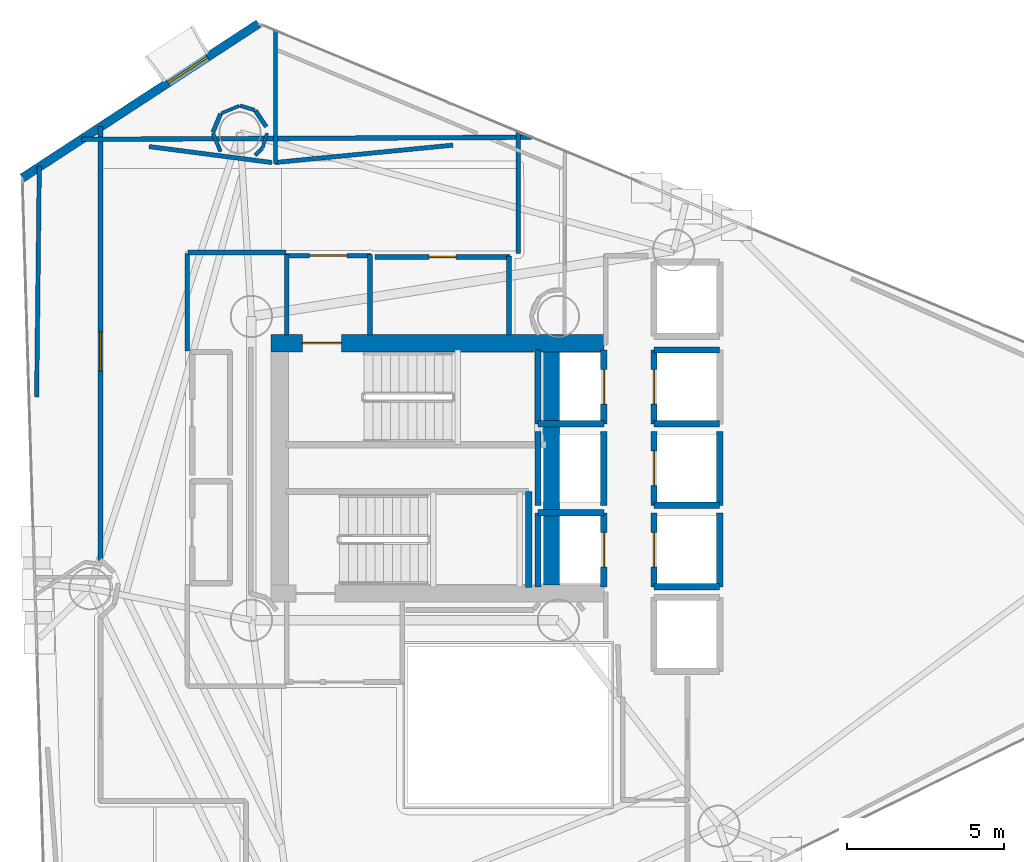
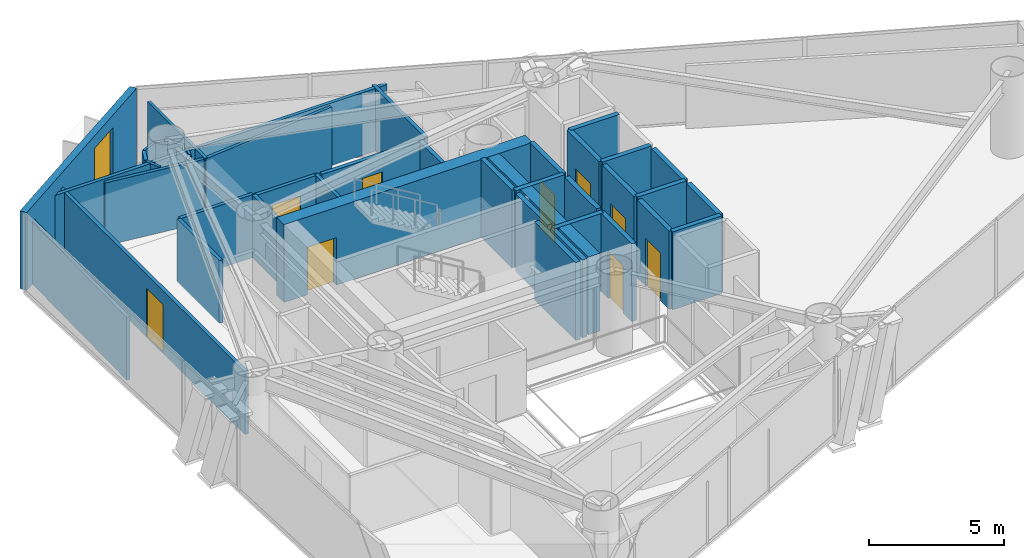
# One storey, part 20 of 23: 42 walls, 9 doors, 1 window, 10 openings.
"""IFC4 building model written with IfcOpenShell, lengths in metres."""

from ifc_helpers import new_model, si_unit, direction, frame, frame_2d, origin, place, context, subcontext, project, spatial, rectangle, extrude, material, layer, layer_set, type_object, element, fill, save


model = new_model("IFC4")

# Units and contexts
model_context = context("Model", 3, precision=1e-05, world=origin(), true_north=direction((0.0, 1.0)))
body_context = subcontext(model_context, "Body", "Model", "MODEL_VIEW")
ifc_project = project(units=[si_unit("LENGTHUNIT", "METRE"), si_unit("AREAUNIT", "SQUARE_METRE"), si_unit("VOLUMEUNIT", "CUBIC_METRE"), si_unit("PLANEANGLEUNIT", "RADIAN"), si_unit("MASSUNIT", "GRAM", prefix="KILO")], contexts=[model_context])

# Site, building, storey
site_placement = place(None, origin())
site = spatial("IfcSite", under=ifc_project, at=site_placement, CompositionType="ELEMENT")
building_placement = place(site_placement, origin())
building = spatial("IfcBuilding", under=site, at=building_placement, Name="Qianvela Tower", CompositionType="ELEMENT")
storey_placement = place(building_placement, frame((0.0, 0.0, 162.39990234375)))
storey = spatial("IfcBuildingStorey", under=building, at=storey_placement, Name="L41", CompositionType="ELEMENT", Elevation=162.39990234375)

# Wall, opening, window
ifc_material_1 = material(Name="Terracotta Cladding on Concrete C40", Category="masonry")
ifc_layer_1 = layer(ifc_material_1, 0.280029296875)
ifc_layer_set_1 = layer_set([ifc_layer_1], Name="Terracotta Cladding on Concrete C40")
wall_type_1 = type_object("IfcWallType", Name="TERRACOTTA-WALL-280", PredefinedType="SOLIDWALL", material=ifc_layer_set_1)
wall_1_placement = place(storey_placement, frame((28.82958984375, 42.894287109375, 0.0), z_axis=(0.0, 0.0, 1.0), x_axis=(-0.837273291315, -0.5467846337, 0.0)))
wall_1 = element("IfcWall", 1, at=wall_1_placement, inside=storey, type_object=wall_type_1, Name="L41 Terracotta Chamfer Facet Wall 3", PredefinedType="SOLIDWALL", context=body_context, shape_type="SweptSolid", body=[
    extrude(rectangle(XDim=9.003662109375, YDim=0.280029296875, at=frame_2d((4.501953125, 0.0))), origin(), (0.0, 0.0, 1.0), 3.52001953125),
])
opening_1_placement = place(wall_1_placement, frame((1.951171875, 0.0, 0.85009765625)))
opening_1 = element("IfcOpeningElement", 2, at=opening_1_placement, cuts=wall_1, Name="Opening W-02", PredefinedType="OPENING", context=body_context, shape_type="SweptSolid", body=[
    extrude(rectangle(XDim=1.5, YDim=2.10009765625, at=frame_2d((0.75, 1.050048828125))), frame((0.0, 0.14990234375, 0.0), z_axis=(0.0, -1.0, 0.0), x_axis=(1.0, 0.0, 0.0)), (0.0, 0.0, 1.0), 0.300048828125),
])
ifc_material_2 = material(Name="Thermally Broken Aluminium and Low-E Glass", Category="aluminium")
window_type = type_object("IfcWindowType", Name="WIN-TC-1500x2100", PartitioningType="DOUBLE_PANEL_VERTICAL", PredefinedType="WINDOW", material=ifc_material_2)
window_placement = place(opening_1_placement, origin())
window = element("IfcWindow", 3, at=window_placement, inside=storey, type_object=window_type, Name="L41 Chamfer Facet Window 3.1", OverallHeight=2.10009765625, OverallWidth=1.5, PartitioningType="SINGLE_PANEL", PredefinedType="WINDOW", context=body_context, shape_type="SweptSolid", body=[
    extrude(rectangle(XDim=1.5, YDim=2.10009765625, at=frame_2d((0.75, 1.050048828125))), frame((0.0, 0.030029296875, 0.0), z_axis=(0.0, -1.0, 0.0), x_axis=(1.0, 0.0, 0.0)), (0.0, 0.0, 1.0), 0.06005859375),
])
fill(opening_1, window)

# Wall, opening, door
ifc_material_3 = material(Name="Concrete C60", Category="concrete")
ifc_layer_2 = layer(ifc_material_3, 0.550048828125)
ifc_layer_set_2 = layer_set([ifc_layer_2], Name="Concrete C60")
wall_type_2 = type_object("IfcWallType", Name="WT-CORE-550", PredefinedType="SHEAR", material=ifc_layer_set_2)
wall_2_placement = place(storey_placement, frame((29.22998046875, 32.695068359375, 0.0), z_axis=(0.0, 0.0, 1.0), x_axis=(1.0, 0.0, 0.0)))
wall_2 = element("IfcWall", 4, at=wall_2_placement, inside=storey, type_object=wall_type_2, Name="L41 North Core Shear Wall", PredefinedType="SHEAR", context=body_context, shape_type="SweptSolid", body=[
    extrude(rectangle(XDim=10.6201171875, YDim=0.550048828125, at=frame_2d((5.31005859375, 0.0))), origin(), (0.0, 0.0, 1.0), 3.52001953125),
])
opening_2_placement = place(wall_2_placement, frame((0.9951171875, 0.0, 0.0)))
opening_2 = element("IfcOpeningElement", 5, at=opening_2_placement, cuts=wall_2, Name="Opening D-ST1", PredefinedType="OPENING", context=body_context, shape_type="SweptSolid", body=[
    extrude(rectangle(XDim=1.25, YDim=2.14990234375, at=frame_2d((0.625, 1.074951171875))), frame((0.0, 0.284912109375, 0.0), z_axis=(0.0, -1.0, 0.0), x_axis=(1.0, 0.0, 0.0)), (0.0, 0.0, 1.0), 0.570068359375),
])
ifc_material_4 = material(Name="Galvanised Fire Steel Q355B", Category="steel")
door_type_1 = type_object("IfcDoorType", Name="DT-STAIR-FD90", OperationType="NOTDEFINED", PredefinedType="DOOR", material=ifc_material_4)
door_1_placement = place(opening_2_placement, origin())
door_1 = element("IfcDoor", 6, at=door_1_placement, inside=storey, type_object=door_type_1, Name="L41 Stair ST-1 Exit Door", OperationType="SINGLE_SWING_RIGHT", OverallHeight=2.14990234375, OverallWidth=1.25, PredefinedType="DOOR", context=body_context, shape_type="SweptSolid", body=[
    extrude(rectangle(XDim=1.25, YDim=2.14990234375, at=frame_2d((0.625, 1.074951171875))), frame((0.0, 0.02490234375, 0.0), z_axis=(0.0, -1.0, 0.0), x_axis=(1.0, 0.0, 0.0)), (0.0, 0.0, 1.0), 0.050048828125),
])
fill(opening_2, door_1)

# Walls
wall_3_placement = place(storey_placement, frame((38.179931640625, 24.97998046875, 0.0), z_axis=(0.0, 0.0, 1.0), x_axis=(0.0, 1.0, 0.0)))
element("IfcWall", 7, at=wall_3_placement, inside=storey, type_object=wall_type_2, Name="L41 East Spine Core Shear Wall", PredefinedType="SHEAR", context=body_context, shape_type="SweptSolid", body=[
    extrude(rectangle(XDim=7.43994140625, YDim=0.5, at=frame_2d((3.719970703125, 0.0))), origin(), (0.0, 0.0, 1.0), 3.52001953125),
])
ifc_material_5 = material(Name="Fire-Rated Acoustic Gypsum Board")
ifc_layer_3 = layer(ifc_material_5, 0.14990234375)
ifc_layer_set_3 = layer_set([ifc_layer_3], Name="Fire-Rated Acoustic Gypsum Board")
wall_type_3 = type_object("IfcWallType", Name="WT-CORR-150", PredefinedType="PARTITIONING", material=ifc_layer_set_3)
wall_4_placement = place(storey_placement, frame((29.73095703125, 32.9580078125, 0.0), z_axis=(0.0, 0.0, 1.0), x_axis=(0.0, 1.0, 0.0)))
element("IfcWall", 8, at=wall_4_placement, inside=storey, type_object=wall_type_3, Name="L41 Partition 2", PredefinedType="PARTITIONING", context=body_context, shape_type="SweptSolid", body=[
    extrude(rectangle(XDim=2.56201171875, YDim=0.14990234375, at=frame_2d((1.281005859375, 0.0))), origin(), (0.0, 0.0, 1.0), 2.840087890625),
])

# Wall, opening, door
wall_5_placement = place(storey_placement, frame((29.699951171875, 35.489013671875, 0.0), z_axis=(0.0, 0.0, 1.0), x_axis=(1.0, 0.0, 0.0)))
wall_5 = element("IfcWall", 9, at=wall_5_placement, inside=storey, type_object=wall_type_3, Name="L41 Partition 3", PredefinedType="PARTITIONING", context=body_context, shape_type="SweptSolid", body=[
    extrude(rectangle(XDim=2.719970703125, YDim=0.14990234375, at=frame_2d((1.35986328125, 0.0))), origin(), (0.0, 0.0, 1.0), 2.840087890625),
])
opening_3_placement = place(wall_5_placement, frame((0.760009765625, 0.0, 0.0)))
opening_3 = element("IfcOpeningElement", 10, at=opening_3_placement, cuts=wall_5, Name="Opening D-LB1", PredefinedType="OPENING", context=body_context, shape_type="SweptSolid", body=[
    extrude(rectangle(XDim=1.199951171875, YDim=2.14990234375, at=frame_2d((0.60009765625, 1.074951171875))), frame((0.0, 0.0849609375, 0.0), z_axis=(0.0, -1.0, 0.0), x_axis=(1.0, 0.0, 0.0)), (0.0, 0.0, 1.0), 0.169921875),
])
ifc_material_6 = material(Name="Glazed Fire-Rated Steel Frame", Category="steel")
door_type_2 = type_object("IfcDoorType", Name="DT-LOBBY-FD90", OperationType="NOTDEFINED", PredefinedType="DOOR", material=ifc_material_6)
door_2_placement = place(opening_3_placement, origin())
door_2 = element("IfcDoor", 11, at=door_2_placement, inside=storey, type_object=door_type_2, Name="L41 Door L41 Firefighting Lobby North to L41 Floor Corridor", OperationType="SINGLE_SWING_LEFT", OverallHeight=2.14990234375, OverallWidth=1.199951171875, PredefinedType="DOOR", context=body_context, shape_type="SweptSolid", body=[
    extrude(rectangle(XDim=1.199951171875, YDim=2.14990234375, at=frame_2d((0.60009765625, 1.074951171875))), frame((0.0, 0.02490234375, 0.0), z_axis=(0.0, -1.0, 0.0), x_axis=(1.0, 0.0, 0.0)), (0.0, 0.0, 1.0), 0.050048828125),
])
fill(opening_3, door_2)

# Wall
wall_6_placement = place(storey_placement, frame((32.388916015625, 35.52001953125, 0.0), z_axis=(0.0, 0.0, 1.0), x_axis=(0.0, -1.0, 0.0)))
element("IfcWall", 12, at=wall_6_placement, inside=storey, type_object=wall_type_3, Name="L41 Partition 4", PredefinedType="PARTITIONING", context=body_context, shape_type="SweptSolid", body=[
    extrude(rectangle(XDim=2.56201171875, YDim=0.14990234375, at=frame_2d((1.281005859375, 0.0))), origin(), (0.0, 0.0, 1.0), 2.840087890625),
])

# Wall, opening, door
wall_7_placement = place(storey_placement, frame((23.781005859375, 25.76171875, 0.0), z_axis=(0.0, 0.0, 1.0), x_axis=(0.0, 1.0, 0.0)))
wall_7 = element("IfcWall", 13, at=wall_7_placement, inside=storey, type_object=wall_type_3, Name="L41 Partition 49", PredefinedType="PARTITIONING", context=body_context, shape_type="SweptSolid", body=[
    extrude(rectangle(XDim=13.855712890625, YDim=0.14990234375, at=frame_2d((6.927734375, 0.0))), origin(), (0.0, 0.0, 1.0), 2.840087890625),
])
opening_4_placement = place(wall_7_placement, frame((6.044189453125, 0.0, 0.0)))
opening_4 = element("IfcOpeningElement", 14, at=opening_4_placement, cuts=wall_7, Name="Opening D-LG1", PredefinedType="OPENING", context=body_context, shape_type="SweptSolid", body=[
    extrude(rectangle(XDim=1.25, YDim=2.199951171875, at=frame_2d((0.625, 1.10009765625))), frame((0.0, 0.0849609375, 0.0), z_axis=(0.0, -1.0, 0.0), x_axis=(1.0, 0.0, 0.0)), (0.0, 0.0, 1.0), 0.169921875),
])
ifc_material_7 = material(Name="Anodised Aluminium Acoustic Glass Door", Category="aluminium")
door_type_3 = type_object("IfcDoorType", Name="DT-LOUNGE-1250", OperationType="NOTDEFINED", PredefinedType="DOOR", material=ifc_material_7)
door_3_placement = place(opening_4_placement, origin())
door_3 = element("IfcDoor", 15, at=door_3_placement, inside=storey, type_object=door_type_3, Name="L41 Door Panoramic Study Lounge L41-05 to L41 Floor Corridor", OperationType="SINGLE_SWING_LEFT", OverallHeight=2.199951171875, OverallWidth=1.25, PredefinedType="DOOR", context=body_context, shape_type="SweptSolid", body=[
    extrude(rectangle(XDim=1.25, YDim=2.199951171875, at=frame_2d((0.625, 1.10009765625))), frame((0.0, 0.02490234375, 0.0), z_axis=(0.0, -1.0, 0.0), x_axis=(1.0, 0.0, 0.0)), (0.0, 0.0, 1.0), 0.050048828125),
])
fill(opening_4, door_3)

# Walls
wall_8_placement = place(storey_placement, frame((23.174072265625, 39.200927734375, 0.0), z_axis=(0.0, 0.0, 1.0), x_axis=(0.999989166238, 0.004654826148, 0.0)))
element("IfcWall", 16, at=wall_8_placement, inside=storey, type_object=wall_type_3, Name="L41 Partition 50", PredefinedType="PARTITIONING", context=body_context, shape_type="SweptSolid", body=[
    extrude(rectangle(XDim=14.37109375, YDim=0.14990234375, at=frame_2d((7.185546875, 0.0))), origin(), (0.0, 0.0, 1.0), 2.840087890625),
])
wall_9_placement = place(storey_placement, frame((37.118896484375, 39.465087890625, 0.0), z_axis=(0.0, 0.0, 1.0), x_axis=(0.0, -1.0, 0.0)))
element("IfcWall", 17, at=wall_9_placement, inside=storey, type_object=wall_type_3, Name="L41 Partition 51", PredefinedType="PARTITIONING", context=body_context, shape_type="SweptSolid", body=[
    extrude(rectangle(XDim=3.905029296875, YDim=0.14990234375, at=frame_2d((1.95263671875, 0.0))), origin(), (0.0, 0.0, 1.0), 2.840087890625),
])
wall_10_placement = place(storey_placement, frame((29.699951171875, 35.591064453125, 0.0), z_axis=(0.0, 0.0, 1.0), x_axis=(-1.0, 0.0, 0.0)))
element("IfcWall", 18, at=wall_10_placement, inside=storey, type_object=wall_type_3, Name="L41 Partition 52 seg 3", PredefinedType="PARTITIONING", context=body_context, shape_type="SweptSolid", body=[
    extrude(rectangle(XDim=3.119873046875, YDim=0.14990234375, at=frame_2d((1.56005859375, 0.0))), origin(), (0.0, 0.0, 1.0), 2.840087890625),
])
wall_11_placement = place(storey_placement, frame((26.549072265625, 35.56005859375, 0.0), z_axis=(0.0, 0.0, 1.0), x_axis=(0.0, -1.0, 0.0)))
element("IfcWall", 19, at=wall_11_placement, inside=storey, type_object=wall_type_3, Name="L41 Partition 53 seg 1", PredefinedType="PARTITIONING", context=body_context, shape_type="SweptSolid", body=[
    extrude(rectangle(XDim=3.110107421875, YDim=0.14990234375, at=frame_2d((1.55517578125, 0.0))), origin(), (0.0, 0.0, 1.0), 2.840087890625),
])
ifc_material_8 = material(Name="Lightweight Gypsum Room Partition")
ifc_layer_4 = layer(ifc_material_8, 0.10498046875)
ifc_layer_set_4 = layer_set([ifc_layer_4], Name="Lightweight Gypsum Room Partition")
wall_type_4 = type_object("IfcWallType", Name="WT-PART-105", PredefinedType="PARTITIONING", material=ifc_layer_set_4)
wall_12_placement = place(storey_placement, frame((28.22314453125, 40.274658203125, 0.0), z_axis=(0.0, 0.0, 1.0), x_axis=(-0.923821221018, -0.382824178437, 0.0)))
element("IfcWall", 20, at=wall_12_placement, inside=storey, type_object=wall_type_4, Name="L41 Partition 127", PredefinedType="PARTITIONING", context=body_context, shape_type="SweptSolid", body=[
    extrude(rectangle(XDim=0.638916015625, YDim=0.10498046875, at=frame_2d((0.3193359375, 0.0))), origin(), (0.0, 0.0, 1.0), 2.840087890625),
])
wall_13_placement = place(storey_placement, frame((28.958984375, 38.93798828125, 0.0), z_axis=(0.0, 0.0, 1.0), x_axis=(0.292866596221, 0.956153312402, 0.0)))
element("IfcWall", 21, at=wall_13_placement, inside=storey, type_object=wall_type_4, Name="L41 Partition 133", PredefinedType="PARTITIONING", context=body_context, shape_type="SweptSolid", body=[
    extrude(rectangle(XDim=0.478515625, YDim=0.10498046875, at=frame_2d((0.2392578125, 0.0))), origin(), (0.0, 0.0, 1.0), 2.840087890625),
])
ifc_material_9 = material(Name="Insulated Gypsum Stud Partition")
ifc_layer_5 = layer(ifc_material_9, 0.1201171875)
ifc_layer_set_5 = layer_set([ifc_layer_5], Name="Insulated Gypsum Stud Partition")
wall_type_5 = type_object("IfcWallType", Name="WT-PART-120", PredefinedType="PARTITIONING", material=ifc_layer_set_5)
wall_14_placement = place(storey_placement, frame((29.373046875, 38.429931640625, 0.0), z_axis=(0.0, 0.0, 1.0), x_axis=(0.0, 1.0, 0.0)))
element("IfcWall", 22, at=wall_14_placement, inside=storey, type_object=wall_type_5, Name="L41 Partition 111", PredefinedType="PARTITIONING", context=body_context, shape_type="SweptSolid", body=[
    extrude(rectangle(XDim=4.25830078125, YDim=0.1201171875, at=frame_2d((2.129150390625, 0.0))), origin(), (0.0, 0.0, 1.0), 2.840087890625),
])
wall_15_placement = place(storey_placement, frame((28.7080078125, 40.135009765625, 0.0), z_axis=(0.0, 0.0, 1.0), x_axis=(-0.95703287226, 0.289979449985, 0.0)))
element("IfcWall", 23, at=wall_15_placement, inside=storey, type_object=wall_type_5, Name="L41 Partition 126", PredefinedType="PARTITIONING", context=body_context, shape_type="SweptSolid", body=[
    extrude(rectangle(XDim=0.48486328125, YDim=0.1201171875, at=frame_2d((0.242431640625, 0.0))), origin(), (0.0, 0.0, 1.0), 2.840087890625),
])
wall_16_placement = place(storey_placement, frame((27.371337890625, 39.399169921875, 0.0), z_axis=(0.0, 0.0, 1.0), x_axis=(0.38268910224, -0.923877183952, 0.0)))
element("IfcWall", 24, at=wall_16_placement, inside=storey, type_object=wall_type_5, Name="L41 Partition 129", PredefinedType="PARTITIONING", context=body_context, shape_type="SweptSolid", body=[
    extrude(rectangle(XDim=0.63916015625, YDim=0.1201171875, at=frame_2d((0.319580078125, 0.0))), origin(), (0.0, 0.0, 1.0), 2.840087890625),
])
wall_17_placement = place(storey_placement, frame((28.720703125, 38.69482421875, 0.0), z_axis=(0.0, 0.0, 1.0), x_axis=(0.707106781187, 0.707106781187, 0.0)))
element("IfcWall", 25, at=wall_17_placement, inside=storey, type_object=wall_type_5, Name="L41 Partition 132", PredefinedType="PARTITIONING", context=body_context, shape_type="SweptSolid", body=[
    extrude(rectangle(XDim=0.325927734375, YDim=0.1201171875, at=frame_2d((0.1630859375, 0.0))), origin(), (0.0, 0.0, 1.0), 2.840087890625),
])

# Wall, opening, door
ifc_material_10 = material(Name="Sanitary Service Chase Partition")
ifc_layer_6 = layer(ifc_material_10, 0.1650390625)
ifc_layer_set_6 = layer_set([ifc_layer_6], Name="Sanitary Service Chase Partition")
wall_type_6 = type_object("IfcWallType", Name="WT-PLUMB-165", PredefinedType="PLUMBINGWALL", material=ifc_layer_set_6)
wall_18_placement = place(storey_placement, frame((32.550048828125, 35.448974609375, 0.0), z_axis=(0.0, 0.0, 1.0), x_axis=(1.0, 0.0, 0.0)))
wall_18 = element("IfcWall", 26, at=wall_18_placement, inside=storey, type_object=wall_type_6, Name="L41 Partition 22", PredefinedType="PLUMBINGWALL", context=body_context, shape_type="SweptSolid", body=[
    extrude(rectangle(XDim=4.300048828125, YDim=0.1650390625, at=frame_2d((2.14990234375, 0.0))), origin(), (0.0, 0.0, 1.0), 2.840087890625),
])
opening_5_placement = place(wall_18_placement, frame((1.719970703125, 0.0, 0.0)))
opening_5 = element("IfcOpeningElement", 27, at=opening_5_placement, cuts=wall_18, Name="Opening D-WC1", PredefinedType="OPENING", context=body_context, shape_type="SweptSolid", body=[
    extrude(rectangle(XDim=0.860107421875, YDim=2.050048828125, at=frame_2d((0.43017578125, 1.02490234375))), frame((0.0, 0.092529296875, 0.0), z_axis=(0.0, -1.0, 0.0), x_axis=(1.0, 0.0, 0.0)), (0.0, 0.0, 1.0), 0.18505859375),
])
ifc_material_11 = material(Name="Moisture-Sealed Acoustic Timber Door", Category="wood")
door_type_4 = type_object("IfcDoorType", Name="DT-WC-860", OperationType="NOTDEFINED", PredefinedType="DOOR", material=ifc_material_11)
door_4_placement = place(opening_5_placement, origin())
door_4 = element("IfcDoor", 28, at=door_4_placement, inside=storey, type_object=door_type_4, Name="L41 Door L41 Accessible WC to L41 Floor Corridor", OperationType="SINGLE_SWING_RIGHT", OverallHeight=2.050048828125, OverallWidth=0.860107421875, PredefinedType="DOOR", context=body_context, shape_type="SweptSolid", body=[
    extrude(rectangle(XDim=0.860107421875, YDim=2.050048828125, at=frame_2d((0.43017578125, 1.02490234375))), frame((0.0, 0.02490234375, 0.0), z_axis=(0.0, -1.0, 0.0), x_axis=(1.0, 0.0, 0.0)), (0.0, 0.0, 1.0), 0.050048828125),
])
fill(opening_5, door_4)

# Walls
wall_19_placement = place(storey_placement, frame((36.819091796875, 35.47998046875, 0.0), z_axis=(0.0, 0.0, 1.0), x_axis=(0.0, -1.0, 0.0)))
element("IfcWall", 29, at=wall_19_placement, inside=storey, type_object=wall_type_6, Name="L41 Partition 23", PredefinedType="PLUMBINGWALL", context=body_context, shape_type="SweptSolid", body=[
    extrude(rectangle(XDim=2.52197265625, YDim=0.1650390625, at=frame_2d((1.260986328125, 0.0))), origin(), (0.0, 0.0, 1.0), 2.840087890625),
])
ifc_material_12 = material(Name="Acoustic Double Gypsum Stud Partition")
ifc_layer_7 = layer(ifc_material_12, 0.139892578125)
ifc_layer_set_7 = layer_set([ifc_layer_7], Name="Acoustic Double Gypsum Stud Partition")
wall_type_7 = type_object("IfcWallType", Name="WT-ROOM-140", PredefinedType="PARTITIONING", material=ifc_layer_set_7)
wall_20_placement = place(storey_placement, frame((35.033203125, 39.01611328125, 0.0), z_axis=(0.0, 0.0, 1.0), x_axis=(-0.995275640249, -0.097089648918, 0.0)))
element("IfcWall", 30, at=wall_20_placement, inside=storey, type_object=wall_type_7, Name="L41 Partition 110 seg 2", PredefinedType="PARTITIONING", context=body_context, shape_type="SweptSolid", body=[
    extrude(rectangle(XDim=5.71826171875, YDim=0.139892578125, at=frame_2d((2.859130859375, 0.0))), origin(), (0.0, 0.0, 1.0), 2.840087890625),
])
wall_21_placement = place(storey_placement, frame((21.74560546875, 30.984619140625, 0.0), z_axis=(0.0, 0.0, 1.0), x_axis=(0.011576600203, 0.999932988919, 0.0)))
element("IfcWall", 31, at=wall_21_placement, inside=storey, type_object=wall_type_7, Name="L41 Partition 122 seg 2", PredefinedType="PARTITIONING", context=body_context, shape_type="SweptSolid", body=[
    extrude(rectangle(XDim=7.360107421875, YDim=0.139892578125, at=frame_2d((3.68017578125, 0.0))), origin(), (0.0, 0.0, 1.0), 2.840087890625),
])
wall_22_placement = place(storey_placement, frame((29.076416015625, 39.601806640625, 0.0), z_axis=(0.0, 0.0, 1.0), x_axis=(-0.559799741872, 0.828627931584, 0.0)))
element("IfcWall", 32, at=wall_22_placement, inside=storey, type_object=wall_type_7, Name="L41 Partition 125", PredefinedType="PARTITIONING", context=body_context, shape_type="SweptSolid", body=[
    extrude(rectangle(XDim=0.62841796875, YDim=0.139892578125, at=frame_2d((0.314208984375, 0.0))), origin(), (0.0, 0.0, 1.0), 2.840087890625),
])
wall_23_placement = place(storey_placement, frame((27.615966796875, 40.01318359375, 0.0), z_axis=(0.0, 0.0, 1.0), x_axis=(-0.382824178437, -0.923821221018, 0.0)))
element("IfcWall", 33, at=wall_23_placement, inside=storey, type_object=wall_type_7, Name="L41 Partition 128", PredefinedType="PARTITIONING", context=body_context, shape_type="SweptSolid", body=[
    extrude(rectangle(XDim=0.638916015625, YDim=0.139892578125, at=frame_2d((0.3193359375, 0.0))), origin(), (0.0, 0.0, 1.0), 2.840087890625),
])
wall_24_placement = place(storey_placement, frame((29.258056640625, 38.4609375, 0.0), z_axis=(0.0, 0.0, 1.0), x_axis=(-0.991648515984, 0.128969844331, 0.0)))
element("IfcWall", 34, at=wall_24_placement, inside=storey, type_object=wall_type_7, Name="L41 Partition 134 seg 1", PredefinedType="PARTITIONING", context=body_context, shape_type="SweptSolid", body=[
    extrude(rectangle(XDim=3.956298828125, YDim=0.139892578125, at=frame_2d((1.97802734375, 0.0))), origin(), (0.0, 0.0, 1.0), 2.840087890625),
])
ifc_material_13 = material(Name="Concrete C50", Category="concrete")
ifc_layer_8 = layer(ifc_material_13, 0.199951171875)
ifc_layer_set_8 = layer_set([ifc_layer_8], Name="Concrete C50")
wall_type_8 = type_object("IfcWallType", Name="WT-SHAFT-200", PredefinedType="SOLIDWALL", material=ifc_layer_set_8)
wall_25_placement = place(storey_placement, frame((37.449951171875, 24.89990234375, 0.0), z_axis=(0.0, 0.0, 1.0), x_axis=(0.0, 1.0, 0.0)))
element("IfcWall", 35, at=wall_25_placement, inside=storey, type_object=wall_type_8, Name="L41 Stair ST-2 East Wall", PredefinedType="SOLIDWALL", context=body_context, shape_type="SweptSolid", body=[
    extrude(rectangle(XDim=3.06005859375, YDim=0.199951171875, at=frame_2d((1.530029296875, 0.0))), origin(), (0.0, 0.0, 1.0), 3.52001953125),
])

# Wall, opening, door
wall_26_placement = place(storey_placement, frame((39.85009765625, 30.1201171875, 0.0), z_axis=(0.0, 0.0, 1.0), x_axis=(0.0, 1.0, 0.0)))
wall_26 = element("IfcWall", 36, at=wall_26_placement, inside=storey, type_object=wall_type_8, Name="L41 Lift FL-1 E Shaft Wall", PredefinedType="SOLIDWALL", context=body_context, shape_type="SweptSolid", body=[
    extrude(rectangle(XDim=2.35986328125, YDim=0.199951171875, at=frame_2d((1.179931640625, 0.0))), origin(), (0.0, 0.0, 1.0), 3.52001953125),
])
opening_6_placement = place(wall_26_placement, frame((0.6298828125, 0.0, 0.0)))
opening_6 = element("IfcOpeningElement", 37, at=opening_6_placement, cuts=wall_26, Name="Opening LD-01", PredefinedType="OPENING", context=body_context, shape_type="SweptSolid", body=[
    extrude(rectangle(XDim=1.10009765625, YDim=2.14990234375, at=frame_2d((0.550048828125, 1.074951171875))), frame((0.0, 0.10986328125, 0.0), z_axis=(0.0, -1.0, 0.0), x_axis=(1.0, 0.0, 0.0)), (0.0, 0.0, 1.0), 0.219970703125),
])
ifc_material_14 = material(Name="Brushed Stainless Steel Lift Landing Door", Category="steel")
door_type_5 = type_object("IfcDoorType", Name="DT-LIFT-SLIDE-1100", OperationType="SLIDING_TO_LEFT", PredefinedType="DOOR", material=ifc_material_14)
door_5_placement = place(opening_6_placement, origin())
door_5 = element("IfcDoor", 38, at=door_5_placement, inside=storey, type_object=door_type_5, Name="L41 Lift FL-1 Sliding Landing Door", OperationType="SLIDING_TO_LEFT", OverallHeight=2.14990234375, OverallWidth=1.10009765625, PredefinedType="DOOR", context=body_context, shape_type="SweptSolid", body=[
    extrude(rectangle(XDim=1.10009765625, YDim=2.14990234375, at=frame_2d((0.550048828125, 1.074951171875))), frame((0.0, 0.02490234375, 0.0), z_axis=(0.0, -1.0, 0.0), x_axis=(1.0, 0.0, 0.0)), (0.0, 0.0, 1.0), 0.050048828125),
])
fill(opening_6, door_5)

# Walls
wall_27_placement = place(storey_placement, frame((37.75, 30.1201171875, 0.0), z_axis=(0.0, 0.0, 1.0), x_axis=(0.0, 1.0, 0.0)))
element("IfcWall", 39, at=wall_27_placement, inside=storey, type_object=wall_type_8, Name="L41 Lift FL-1 W Shaft Wall", PredefinedType="SOLIDWALL", context=body_context, shape_type="SweptSolid", body=[
    extrude(rectangle(XDim=2.35986328125, YDim=0.199951171875, at=frame_2d((1.179931640625, 0.0))), origin(), (0.0, 0.0, 1.0), 3.52001953125),
])
wall_28_placement = place(storey_placement, frame((37.75, 30.1201171875, 0.0), z_axis=(0.0, 0.0, 1.0), x_axis=(1.0, 0.0, 0.0)))
element("IfcWall", 40, at=wall_28_placement, inside=storey, type_object=wall_type_8, Name="L41 Lift FL-1 S Shaft Wall", PredefinedType="SOLIDWALL", context=body_context, shape_type="SweptSolid", body=[
    extrude(rectangle(XDim=2.10009765625, YDim=0.199951171875, at=frame_2d((1.050048828125, 0.0))), origin(), (0.0, 0.0, 1.0), 3.52001953125),
])

# Wall, opening, door
wall_29_placement = place(storey_placement, frame((39.85009765625, 24.919921875, 0.0), z_axis=(0.0, 0.0, 1.0), x_axis=(0.0, 1.0, 0.0)))
wall_29 = element("IfcWall", 41, at=wall_29_placement, inside=storey, type_object=wall_type_8, Name="L41 Lift FL-2 E Shaft Wall", PredefinedType="SOLIDWALL", context=body_context, shape_type="SweptSolid", body=[
    extrude(rectangle(XDim=2.360107421875, YDim=0.199951171875, at=frame_2d((1.18017578125, 0.0))), origin(), (0.0, 0.0, 1.0), 3.52001953125),
])
opening_7_placement = place(wall_29_placement, frame((0.6298828125, 0.0, 0.0)))
opening_7 = element("IfcOpeningElement", 42, at=opening_7_placement, cuts=wall_29, Name="Opening LD-01", PredefinedType="OPENING", context=body_context, shape_type="SweptSolid", body=[
    extrude(rectangle(XDim=1.10009765625, YDim=2.14990234375, at=frame_2d((0.550048828125, 1.074951171875))), frame((0.0, 0.10986328125, 0.0), z_axis=(0.0, -1.0, 0.0), x_axis=(1.0, 0.0, 0.0)), (0.0, 0.0, 1.0), 0.219970703125),
])
door_6_placement = place(opening_7_placement, origin())
door_6 = element("IfcDoor", 43, at=door_6_placement, inside=storey, type_object=door_type_5, Name="L41 Lift FL-2 Sliding Landing Door", OperationType="SLIDING_TO_LEFT", OverallHeight=2.14990234375, OverallWidth=1.10009765625, PredefinedType="DOOR", context=body_context, shape_type="SweptSolid", body=[
    extrude(rectangle(XDim=1.10009765625, YDim=2.14990234375, at=frame_2d((0.550048828125, 1.074951171875))), frame((0.0, 0.02490234375, 0.0), z_axis=(0.0, -1.0, 0.0), x_axis=(1.0, 0.0, 0.0)), (0.0, 0.0, 1.0), 0.050048828125),
])
fill(opening_7, door_6)

# Walls
wall_30_placement = place(storey_placement, frame((37.75, 24.919921875, 0.0), z_axis=(0.0, 0.0, 1.0), x_axis=(0.0, 1.0, 0.0)))
element("IfcWall", 44, at=wall_30_placement, inside=storey, type_object=wall_type_8, Name="L41 Lift FL-2 W Shaft Wall", PredefinedType="SOLIDWALL", context=body_context, shape_type="SweptSolid", body=[
    extrude(rectangle(XDim=2.360107421875, YDim=0.199951171875, at=frame_2d((1.18017578125, 0.0))), origin(), (0.0, 0.0, 1.0), 3.52001953125),
])
wall_31_placement = place(storey_placement, frame((37.75, 27.280029296875, 0.0), z_axis=(0.0, 0.0, 1.0), x_axis=(1.0, 0.0, 0.0)))
element("IfcWall", 45, at=wall_31_placement, inside=storey, type_object=wall_type_8, Name="L41 Lift FL-2 N Shaft Wall", PredefinedType="SOLIDWALL", context=body_context, shape_type="SweptSolid", body=[
    extrude(rectangle(XDim=2.10009765625, YDim=0.199951171875, at=frame_2d((1.050048828125, 0.0))), origin(), (0.0, 0.0, 1.0), 3.52001953125),
])

# Wall, opening, door
wall_32_placement = place(storey_placement, frame((41.449951171875, 30.1201171875, 0.0), z_axis=(0.0, 0.0, 1.0), x_axis=(0.0, 1.0, 0.0)))
wall_32 = element("IfcWall", 46, at=wall_32_placement, inside=storey, type_object=wall_type_8, Name="L41 Lift PL-M1 W Shaft Wall", PredefinedType="SOLIDWALL", context=body_context, shape_type="SweptSolid", body=[
    extrude(rectangle(XDim=2.35986328125, YDim=0.199951171875, at=frame_2d((1.179931640625, 0.0))), origin(), (0.0, 0.0, 1.0), 3.52001953125),
])
opening_8_placement = place(wall_32_placement, frame((0.6298828125, 0.0, 0.0)))
opening_8 = element("IfcOpeningElement", 47, at=opening_8_placement, cuts=wall_32, Name="Opening LD-01", PredefinedType="OPENING", context=body_context, shape_type="SweptSolid", body=[
    extrude(rectangle(XDim=1.10009765625, YDim=2.14990234375, at=frame_2d((0.550048828125, 1.074951171875))), frame((0.0, 0.10986328125, 0.0), z_axis=(0.0, -1.0, 0.0), x_axis=(1.0, 0.0, 0.0)), (0.0, 0.0, 1.0), 0.219970703125),
])
door_7_placement = place(opening_8_placement, origin())
door_7 = element("IfcDoor", 48, at=door_7_placement, inside=storey, type_object=door_type_5, Name="L41 Lift PL-M1 Sliding Landing Door", OperationType="SLIDING_TO_LEFT", OverallHeight=2.14990234375, OverallWidth=1.10009765625, PredefinedType="DOOR", context=body_context, shape_type="SweptSolid", body=[
    extrude(rectangle(XDim=1.10009765625, YDim=2.14990234375, at=frame_2d((0.550048828125, 1.074951171875))), frame((0.0, 0.02490234375, 0.0), z_axis=(0.0, -1.0, 0.0), x_axis=(1.0, 0.0, 0.0)), (0.0, 0.0, 1.0), 0.050048828125),
])
fill(opening_8, door_7)

# Walls
for number, where, z_axis, x_axis, name in (
    (49, (41.449951171875, 32.47998046875, 0.0), (0.0, 0.0, 1.0), (1.0, 0.0, 0.0), "L41 Lift PL-M1 N Shaft Wall"),
    (50, (41.449951171875, 30.1201171875, 0.0), (0.0, 0.0, 1.0), (1.0, 0.0, 0.0), "L41 Lift PL-M1 S Shaft Wall"),
):
    element("IfcWall", number, at=place(storey_placement, frame(where, z_axis=z_axis, x_axis=x_axis)), inside=storey, type_object=wall_type_8, Name=name, PredefinedType="SOLIDWALL", context=body_context, shape_type="SweptSolid", body=[
        extrude(rectangle(XDim=2.10009765625, YDim=0.199951171875, at=frame_2d((1.050048828125, 0.0))), origin(), (0.0, 0.0, 1.0), 3.52001953125),
    ])
wall_33_placement = place(storey_placement, frame((43.550048828125, 27.52001953125, 0.0), z_axis=(0.0, 0.0, 1.0), x_axis=(0.0, 1.0, 0.0)))
element("IfcWall", 51, at=wall_33_placement, inside=storey, type_object=wall_type_8, Name="L41 Lift PL-M2 E Shaft Wall", PredefinedType="SOLIDWALL", context=body_context, shape_type="SweptSolid", body=[
    extrude(rectangle(XDim=2.35986328125, YDim=0.199951171875, at=frame_2d((1.179931640625, 0.0))), origin(), (0.0, 0.0, 1.0), 3.52001953125),
])

# Wall, opening, door
wall_34_placement = place(storey_placement, frame((41.449951171875, 27.52001953125, 0.0), z_axis=(0.0, 0.0, 1.0), x_axis=(0.0, 1.0, 0.0)))
wall_34 = element("IfcWall", 52, at=wall_34_placement, inside=storey, type_object=wall_type_8, Name="L41 Lift PL-M2 W Shaft Wall", PredefinedType="SOLIDWALL", context=body_context, shape_type="SweptSolid", body=[
    extrude(rectangle(XDim=2.35986328125, YDim=0.199951171875, at=frame_2d((1.179931640625, 0.0))), origin(), (0.0, 0.0, 1.0), 3.52001953125),
])
opening_9_placement = place(wall_34_placement, frame((0.6298828125, 0.0, 0.0)))
opening_9 = element("IfcOpeningElement", 53, at=opening_9_placement, cuts=wall_34, Name="Opening LD-01", PredefinedType="OPENING", context=body_context, shape_type="SweptSolid", body=[
    extrude(rectangle(XDim=1.10009765625, YDim=2.14990234375, at=frame_2d((0.550048828125, 1.074951171875))), frame((0.0, 0.10986328125, 0.0), z_axis=(0.0, -1.0, 0.0), x_axis=(1.0, 0.0, 0.0)), (0.0, 0.0, 1.0), 0.219970703125),
])
door_8_placement = place(opening_9_placement, origin())
door_8 = element("IfcDoor", 54, at=door_8_placement, inside=storey, type_object=door_type_5, Name="L41 Lift PL-M2 Sliding Landing Door", OperationType="SLIDING_TO_LEFT", OverallHeight=2.14990234375, OverallWidth=1.10009765625, PredefinedType="DOOR", context=body_context, shape_type="SweptSolid", body=[
    extrude(rectangle(XDim=1.10009765625, YDim=2.14990234375, at=frame_2d((0.550048828125, 1.074951171875))), frame((0.0, 0.02490234375, 0.0), z_axis=(0.0, -1.0, 0.0), x_axis=(1.0, 0.0, 0.0)), (0.0, 0.0, 1.0), 0.050048828125),
])
fill(opening_9, door_8)

# Walls
wall_35_placement = place(storey_placement, frame((41.449951171875, 27.52001953125, 0.0), z_axis=(0.0, 0.0, 1.0), x_axis=(1.0, 0.0, 0.0)))
element("IfcWall", 55, at=wall_35_placement, inside=storey, type_object=wall_type_8, Name="L41 Lift PL-M2 S Shaft Wall", PredefinedType="SOLIDWALL", context=body_context, shape_type="SweptSolid", body=[
    extrude(rectangle(XDim=2.10009765625, YDim=0.199951171875, at=frame_2d((1.050048828125, 0.0))), origin(), (0.0, 0.0, 1.0), 3.52001953125),
])
wall_36_placement = place(storey_placement, frame((43.550048828125, 24.919921875, 0.0), z_axis=(0.0, 0.0, 1.0), x_axis=(0.0, 1.0, 0.0)))
element("IfcWall", 56, at=wall_36_placement, inside=storey, type_object=wall_type_8, Name="L41 Lift PL-M3 E Shaft Wall", PredefinedType="SOLIDWALL", context=body_context, shape_type="SweptSolid", body=[
    extrude(rectangle(XDim=2.360107421875, YDim=0.199951171875, at=frame_2d((1.18017578125, 0.0))), origin(), (0.0, 0.0, 1.0), 3.52001953125),
])

# Wall, opening, door
wall_37_placement = place(storey_placement, frame((41.449951171875, 24.919921875, 0.0), z_axis=(0.0, 0.0, 1.0), x_axis=(0.0, 1.0, 0.0)))
wall_37 = element("IfcWall", 57, at=wall_37_placement, inside=storey, type_object=wall_type_8, Name="L41 Lift PL-M3 W Shaft Wall", PredefinedType="SOLIDWALL", context=body_context, shape_type="SweptSolid", body=[
    extrude(rectangle(XDim=2.360107421875, YDim=0.199951171875, at=frame_2d((1.18017578125, 0.0))), origin(), (0.0, 0.0, 1.0), 3.52001953125),
])
opening_10_placement = place(wall_37_placement, frame((0.6298828125, 0.0, 0.0)))
opening_10 = element("IfcOpeningElement", 58, at=opening_10_placement, cuts=wall_37, Name="Opening LD-01", PredefinedType="OPENING", context=body_context, shape_type="SweptSolid", body=[
    extrude(rectangle(XDim=1.10009765625, YDim=2.14990234375, at=frame_2d((0.550048828125, 1.074951171875))), frame((0.0, 0.10986328125, 0.0), z_axis=(0.0, -1.0, 0.0), x_axis=(1.0, 0.0, 0.0)), (0.0, 0.0, 1.0), 0.219970703125),
])
door_9_placement = place(opening_10_placement, origin())
door_9 = element("IfcDoor", 59, at=door_9_placement, inside=storey, type_object=door_type_5, Name="L41 Lift PL-M3 Sliding Landing Door", OperationType="SLIDING_TO_LEFT", OverallHeight=2.14990234375, OverallWidth=1.10009765625, PredefinedType="DOOR", context=body_context, shape_type="SweptSolid", body=[
    extrude(rectangle(XDim=1.10009765625, YDim=2.14990234375, at=frame_2d((0.550048828125, 1.074951171875))), frame((0.0, 0.02490234375, 0.0), z_axis=(0.0, -1.0, 0.0), x_axis=(1.0, 0.0, 0.0)), (0.0, 0.0, 1.0), 0.050048828125),
])
fill(opening_10, door_9)

# Walls
wall_38_placement = place(storey_placement, frame((41.449951171875, 24.919921875, 0.0), z_axis=(0.0, 0.0, 1.0), x_axis=(1.0, 0.0, 0.0)))
element("IfcWall", 60, at=wall_38_placement, inside=storey, type_object=wall_type_8, Name="L41 Lift PL-M3 S Shaft Wall", PredefinedType="SOLIDWALL", context=body_context, shape_type="SweptSolid", body=[
    extrude(rectangle(XDim=2.10009765625, YDim=0.199951171875, at=frame_2d((1.050048828125, 0.0))), origin(), (0.0, 0.0, 1.0), 3.52001953125),
])
for number, where, z_axis, x_axis, name in (
    (61, (39.85009765625, 27.52001953125, 0.0), (0.0, 0.0, 1.0), (0.0, 1.0, 0.0), "L41 Lift PL-H1 E Shaft Wall"),
    (62, (37.75, 27.52001953125, 0.0), (0.0, 0.0, 1.0), (0.0, 1.0, 0.0), "L41 Lift PL-H1 W Shaft Wall"),
):
    element("IfcWall", number, at=place(storey_placement, frame(where, z_axis=z_axis, x_axis=x_axis)), inside=storey, type_object=wall_type_8, Name=name, PredefinedType="SOLIDWALL", context=body_context, shape_type="SweptSolid", body=[
        extrude(rectangle(XDim=2.35986328125, YDim=0.199951171875, at=frame_2d((1.179931640625, 0.0))), origin(), (0.0, 0.0, 1.0), 3.52001953125),
    ])

save(model, "model.ifc")
